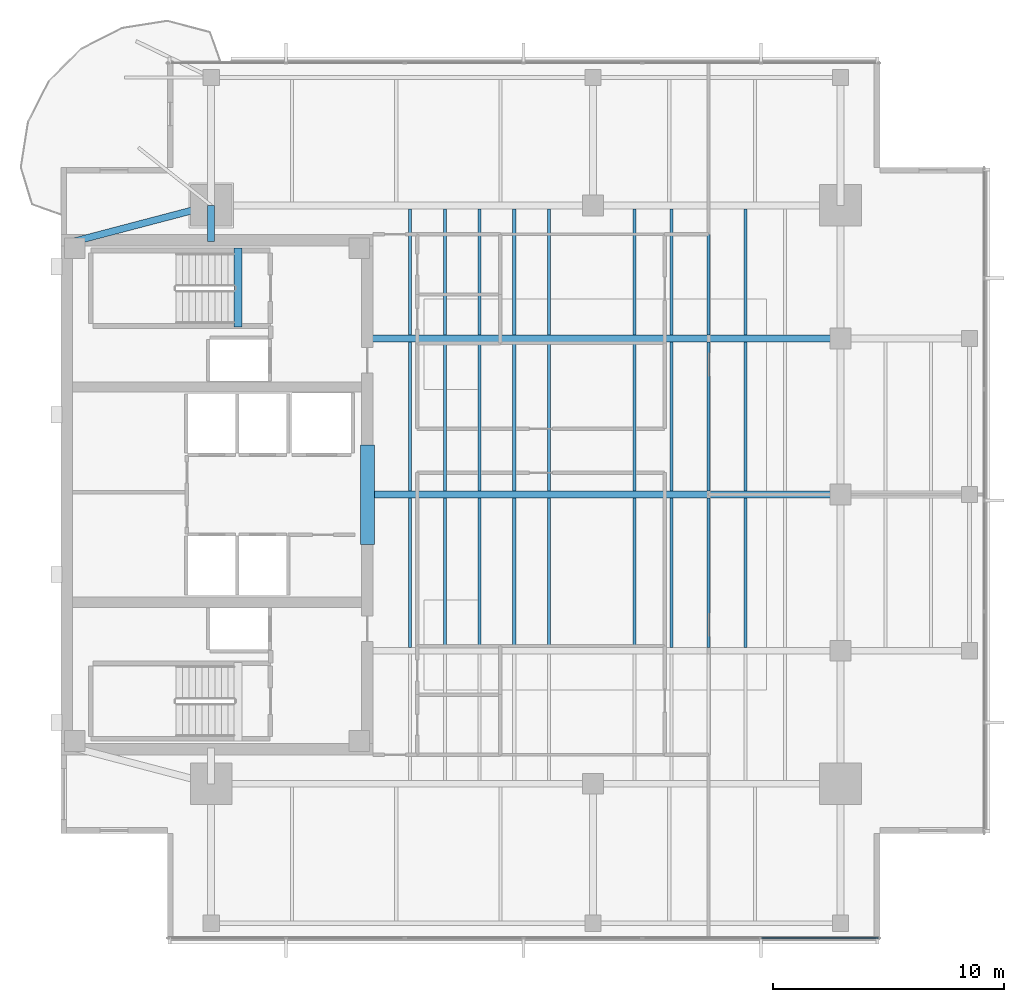
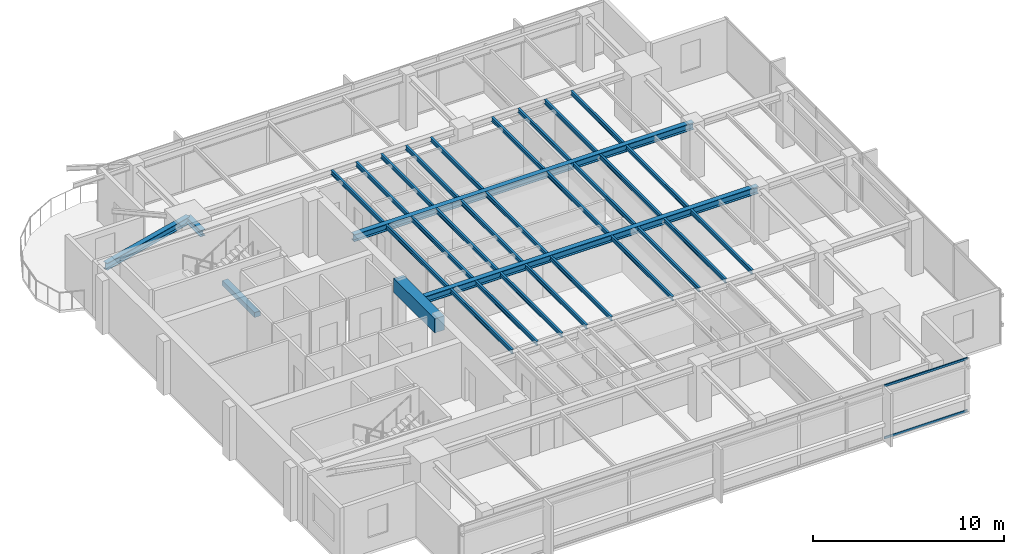
# One storey, part 3 of 14: 33 beams, 2 members, 1 element without a shape of its own.
"""IFC4 building model written with IfcOpenShell, lengths in metres."""

from ifc_helpers import new_model, si_unit, direction, frame, origin, origin_2d, place, context, subcontext, project, spatial, rectangle, i_section, extrude, material, layer, layer_set, material_profile, profile_set, type_object, element, aggregate, save


model = new_model("IFC4")

# Units and contexts
model_context = context("Model", 3, precision=1e-05, world=origin(), true_north=direction((0.0, 1.0)))
body_context = subcontext(model_context, "Body", "Model", "MODEL_VIEW")
ifc_project = project(units=[si_unit("LENGTHUNIT", "METRE"), si_unit("AREAUNIT", "SQUARE_METRE"), si_unit("VOLUMEUNIT", "CUBIC_METRE"), si_unit("PLANEANGLEUNIT", "RADIAN"), si_unit("MASSUNIT", "GRAM", prefix="KILO")], contexts=[model_context])

# Site, building, storey
site_placement = place(None, origin())
site = spatial("IfcSite", under=ifc_project, at=site_placement, CompositionType="ELEMENT")
building_placement = place(site_placement, origin())
building = spatial("IfcBuilding", under=site, at=building_placement, Name="Kinhvarn Gate Tower", CompositionType="ELEMENT")
storey_placement = place(building_placement, frame((0.0, 0.0, 263.449951171875)))
storey = spatial("IfcBuildingStorey", under=building, at=storey_placement, Name="L70", CompositionType="ELEMENT", Elevation=263.449951171875)

# Beams
ifc_material_1 = material(Name="Concrete C60/75", Category="concrete")
ifc_material_profile_1 = material_profile(ifc_material_1, rectangle(XDim=0.60009765625, YDim=0.89990234375, at=origin_2d()), Name="RC 600x900")
ifc_profile_set_1 = profile_set([ifc_material_profile_1], Name="Concrete C60/75")
beam_type_1 = type_object("IfcBeamType", Name="BM-CB-900", PredefinedType="LINTEL", material=ifc_profile_set_1)
beam_1_placement = place(storey_placement, frame((17.75, 23.10009765625, 2.93994140625), z_axis=(0.0, 1.0, 0.0), x_axis=(-1.0, 0.0, 0.0)))
element("IfcBeam", 1, at=beam_1_placement, inside=storey, type_object=beam_type_1, Name="Core East Portal Coupling Beam L70", PredefinedType="LINTEL", context=body_context, shape_type="SweptSolid", body=[
    extrude(rectangle(XDim=0.60009765625, YDim=0.89990234375, at=origin_2d()), origin(), (0.0, 0.0, 1.0), 4.2998046875),
])
ifc_material_2 = material(Name="Concrete C50/60", Category="concrete")
ifc_material_profile_2 = material_profile(ifc_material_2, rectangle(XDim=0.340087890625, YDim=0.320068359375, at=origin_2d()), Name="RC 340x320")
ifc_profile_set_2 = profile_set([ifc_material_profile_2], Name="Concrete C50/60")
beam_type_2 = type_object("IfcBeamType", Name="BM-LND-500", PredefinedType="BEAM", material=ifc_profile_set_2)
beam_2_placement = place(storey_placement, frame((12.1650390625, 32.5, -0.159912109375), z_axis=(0.0, 1.0, 0.0), x_axis=(-1.0, 0.0, 0.0)))
element("IfcBeam", 2, at=beam_2_placement, inside=storey, type_object=beam_type_2, Name="Stair ST2 Landing Nosing Beam (L70)", PredefinedType="BEAM", context=body_context, shape_type="SweptSolid", body=[
    extrude(rectangle(XDim=0.340087890625, YDim=0.320068359375, at=origin_2d()), origin(), (0.0, 0.0, 1.0), 3.39990234375),
])

# Curtain wall, members
ifc_material_3 = material(Name="Anodised aluminium AW-6063", Category="aluminium")
ifc_layer = layer(ifc_material_3, 0.179931640625)
ifc_layer_set = layer_set([ifc_layer], Name="Anodised aluminium AW-6063")
curtain_wall_type = type_object("IfcCurtainWallType", Name="CW-SYS-3", PredefinedType="NOTDEFINED", material=ifc_layer_set)
curtain_wall_placement = place(storey_placement, origin())
curtain_wall = element("IfcCurtainWall", 3, at=curtain_wall_placement, inside=storey, type_object=curtain_wall_type, Name="Curtain Wall CW3 (L70)", PredefinedType="NOTDEFINED")
ifc_material_profile_3 = material_profile(ifc_material_3, rectangle(XDim=0.070068359375, YDim=0.139892578125, at=origin_2d()), Name="ALU 70x140")
ifc_profile_set_3 = profile_set([ifc_material_profile_3], Name="Anodised aluminium AW-6063")
member_type = type_object("IfcMemberType", Name="CW-TRN-140", PredefinedType="USERDEFINED", material=ifc_profile_set_3)
member_1_placement = place(storey_placement, frame((34.799072265625, 6.090087890625, 0.03515625), z_axis=(1.0, 0.0, 0.0), x_axis=(0.0, 1.0, 0.0)))
member_1 = element("IfcMember", 4, at=member_1_placement, type_object=member_type, Name="CW3 transom 6.1", ObjectType="TRANSOM", PredefinedType="USERDEFINED", context=body_context, shape_type="SweptSolid", body=[
    extrude(rectangle(XDim=0.070068359375, YDim=0.139892578125, at=origin_2d()), origin(), (0.0, 0.0, 1.0), 5.035888671875),
])
member_2_placement = place(storey_placement, frame((34.799072265625, 6.090087890625, 3.35498046875), z_axis=(1.0, 0.0, 0.0), x_axis=(0.0, 1.0, 0.0)))
member_2 = element("IfcMember", 5, at=member_2_placement, type_object=member_type, Name="CW3 transom 6.2", ObjectType="TRANSOM", PredefinedType="USERDEFINED", context=body_context, shape_type="SweptSolid", body=[
    extrude(rectangle(XDim=0.070068359375, YDim=0.139892578125, at=origin_2d()), origin(), (0.0, 0.0, 1.0), 5.035888671875),
])
aggregate(curtain_wall, [member_1, member_2])

# Beams
ifc_material_4 = material(Name="Steel S355", Category="steel")
ifc_material_profile_4 = material_profile(ifc_material_4, i_section(OverallWidth=0.300048828125, OverallDepth=0.39990234375, WebThickness=0.013427734375, FlangeThickness=0.02392578125, at=origin_2d()), Name="HEB 400")
ifc_profile_set_4 = profile_set([ifc_material_profile_4], Name="Steel S355")
beam_type_3 = type_object("IfcBeamType", Name="STL-HEB400", PredefinedType="BEAM", material=ifc_profile_set_4)
beam_3_placement = place(storey_placement, frame((11.0, 36.199951171875, 3.18994140625), z_axis=(0.0, 1.0, 0.0), x_axis=(-1.0, 0.0, 0.0)))
element("IfcBeam", 6, at=beam_3_placement, inside=storey, type_object=beam_type_3, Name="Floor Beam PG-12 (L70 MCW-CN)", PredefinedType="BEAM", context=body_context, shape_type="SweptSolid", body=[
    extrude(i_section(OverallWidth=0.300048828125, OverallDepth=0.39990234375, WebThickness=0.013427734375, FlangeThickness=0.02392578125, at=origin_2d()), origin(), (0.0, 0.0, 1.0), 1.550048828125),
])
ifc_material_profile_5 = material_profile(ifc_material_4, i_section(OverallWidth=0.300048828125, OverallDepth=0.449951171875, WebThickness=0.013916015625, FlangeThickness=0.02587890625, at=origin_2d()), Name="HEB 450")
ifc_profile_set_5 = profile_set([ifc_material_profile_5], Name="Steel S355")
beam_type_4 = type_object("IfcBeamType", Name="STL-HEB450", PredefinedType="BEAM", material=ifc_profile_set_5)
beam_4_placement = place(storey_placement, frame((5.10009765625, 36.199951171875, 3.1650390625), z_axis=(0.967177623957, 0.254101246979, 0.0), x_axis=(-0.254101246979, 0.967177623957, 0.0)))
element("IfcBeam", 7, at=beam_4_placement, inside=storey, type_object=beam_type_4, Name="Floor Beam PG-13 (L70 MG-NW-DIAG)", PredefinedType="BEAM", context=body_context, shape_type="SweptSolid", body=[
    extrude(i_section(OverallWidth=0.300048828125, OverallDepth=0.449951171875, WebThickness=0.013916015625, FlangeThickness=0.02587890625, at=origin_2d()), origin(), (0.0, 0.0, 1.0), 6.10009765625),
])
beam_5_placement = place(storey_placement, frame((18.050048828125, 25.25, 3.1650390625), z_axis=(1.0, 0.0, 0.0), x_axis=(0.0, 1.0, 0.0)))
element("IfcBeam", 8, at=beam_5_placement, inside=storey, type_object=beam_type_4, Name="Floor Beam PG-13 (L70 EW1-Y25)", PredefinedType="BEAM", context=body_context, shape_type="SweptSolid", body=[
    extrude(i_section(OverallWidth=0.300048828125, OverallDepth=0.449951171875, WebThickness=0.013916015625, FlangeThickness=0.02587890625, at=origin_2d()), origin(), (0.0, 0.0, 1.0), 20.14990234375),
])
beam_6_placement = place(storey_placement, frame((17.64990234375, 32.0, 3.1650390625), z_axis=(1.0, 0.0, 0.0), x_axis=(0.0, 1.0, 0.0)))
element("IfcBeam", 9, at=beam_6_placement, inside=storey, type_object=beam_type_4, Name="Floor Beam PG-13 (L70 EW1-Y32)", PredefinedType="BEAM", context=body_context, shape_type="SweptSolid", body=[
    extrude(i_section(OverallWidth=0.300048828125, OverallDepth=0.449951171875, WebThickness=0.013916015625, FlangeThickness=0.02587890625, at=origin_2d()), origin(), (0.0, 0.0, 1.0), 20.550048828125),
])
ifc_material_profile_6 = material_profile(ifc_material_4, i_section(OverallWidth=0.135009765625, OverallDepth=0.27001953125, WebThickness=0.006591796875, FlangeThickness=0.01025390625, at=origin_2d()), Name="IPE 270")
ifc_profile_set_6 = profile_set([ifc_material_profile_6], Name="Steel S355")
beam_type_5 = type_object("IfcBeamType", Name="STL-IPE270", PredefinedType="JOIST", material=ifc_profile_set_6)
for number, where, z_axis, x_axis, name in (
    (10, (19.60009765625, 18.64990234375, 3.255126953125), (0.0, 1.0, 0.0), (-1.0, 0.0, 0.0), "Floor Joist SB-01 (L70 JC-X196-1)"),
    (11, (19.60009765625, 25.39990234375, 3.255126953125), (0.0, 1.0, 0.0), (-1.0, 0.0, 0.0), "Floor Joist SB-01 (L70 JC-X196-2)"),
):
    element("IfcBeam", number, at=place(storey_placement, frame(where, z_axis=z_axis, x_axis=x_axis)), inside=storey, type_object=beam_type_5, Name=name, PredefinedType="JOIST", context=body_context, shape_type="SweptSolid", body=[
        extrude(i_section(OverallWidth=0.135009765625, OverallDepth=0.27001953125, WebThickness=0.006591796875, FlangeThickness=0.01025390625, at=origin_2d()), origin(), (0.0, 0.0, 1.0), 6.4501953125),
    ])
beam_7_placement = place(storey_placement, frame((19.60009765625, 32.14990234375, 3.255126953125), z_axis=(0.0, 1.0, 0.0), x_axis=(-1.0, 0.0, 0.0)))
element("IfcBeam", 12, at=beam_7_placement, inside=storey, type_object=beam_type_5, Name="Floor Joist SB-01 (L70 JC-X196-3)", PredefinedType="JOIST", context=body_context, shape_type="SweptSolid", body=[
    extrude(i_section(OverallWidth=0.135009765625, OverallDepth=0.27001953125, WebThickness=0.006591796875, FlangeThickness=0.01025390625, at=origin_2d()), origin(), (0.0, 0.0, 1.0), 5.4501953125),
])
for number, where, z_axis, x_axis, name in (
    (13, (21.10009765625, 18.64990234375, 3.255126953125), (0.0, 1.0, 0.0), (-1.0, 0.0, 0.0), "Floor Joist SB-01 (L70 JC-X211-1)"),
    (14, (21.10009765625, 25.39990234375, 3.255126953125), (0.0, 1.0, 0.0), (-1.0, 0.0, 0.0), "Floor Joist SB-01 (L70 JC-X211-2)"),
):
    element("IfcBeam", number, at=place(storey_placement, frame(where, z_axis=z_axis, x_axis=x_axis)), inside=storey, type_object=beam_type_5, Name=name, PredefinedType="JOIST", context=body_context, shape_type="SweptSolid", body=[
        extrude(i_section(OverallWidth=0.135009765625, OverallDepth=0.27001953125, WebThickness=0.006591796875, FlangeThickness=0.01025390625, at=origin_2d()), origin(), (0.0, 0.0, 1.0), 6.4501953125),
    ])
beam_8_placement = place(storey_placement, frame((21.10009765625, 32.14990234375, 3.255126953125), z_axis=(0.0, 1.0, 0.0), x_axis=(-1.0, 0.0, 0.0)))
element("IfcBeam", 15, at=beam_8_placement, inside=storey, type_object=beam_type_5, Name="Floor Joist SB-01 (L70 JC-X211-3)", PredefinedType="JOIST", context=body_context, shape_type="SweptSolid", body=[
    extrude(i_section(OverallWidth=0.135009765625, OverallDepth=0.27001953125, WebThickness=0.006591796875, FlangeThickness=0.01025390625, at=origin_2d()), origin(), (0.0, 0.0, 1.0), 5.4501953125),
])
for number, where, z_axis, x_axis, name in (
    (16, (22.60009765625, 18.64990234375, 3.255126953125), (0.0, 1.0, 0.0), (-1.0, 0.0, 0.0), "Floor Joist SB-01 (L70 JC-X226-1)"),
    (17, (22.60009765625, 25.39990234375, 3.255126953125), (0.0, 1.0, 0.0), (-1.0, 0.0, 0.0), "Floor Joist SB-01 (L70 JC-X226-2)"),
):
    element("IfcBeam", number, at=place(storey_placement, frame(where, z_axis=z_axis, x_axis=x_axis)), inside=storey, type_object=beam_type_5, Name=name, PredefinedType="JOIST", context=body_context, shape_type="SweptSolid", body=[
        extrude(i_section(OverallWidth=0.135009765625, OverallDepth=0.27001953125, WebThickness=0.006591796875, FlangeThickness=0.01025390625, at=origin_2d()), origin(), (0.0, 0.0, 1.0), 6.4501953125),
    ])
beam_9_placement = place(storey_placement, frame((22.60009765625, 32.14990234375, 3.255126953125), z_axis=(0.0, 1.0, 0.0), x_axis=(-1.0, 0.0, 0.0)))
element("IfcBeam", 18, at=beam_9_placement, inside=storey, type_object=beam_type_5, Name="Floor Joist SB-01 (L70 JC-X226-3)", PredefinedType="JOIST", context=body_context, shape_type="SweptSolid", body=[
    extrude(i_section(OverallWidth=0.135009765625, OverallDepth=0.27001953125, WebThickness=0.006591796875, FlangeThickness=0.01025390625, at=origin_2d()), origin(), (0.0, 0.0, 1.0), 5.4501953125),
])
for number, where, z_axis, x_axis, name in (
    (19, (24.10009765625, 18.64990234375, 3.255126953125), (0.0, 1.0, 0.0), (-1.0, 0.0, 0.0), "Floor Joist SB-01 (L70 JC-X241-1)"),
    (20, (24.10009765625, 25.39990234375, 3.255126953125), (0.0, 1.0, 0.0), (-1.0, 0.0, 0.0), "Floor Joist SB-01 (L70 JC-X241-2)"),
):
    element("IfcBeam", number, at=place(storey_placement, frame(where, z_axis=z_axis, x_axis=x_axis)), inside=storey, type_object=beam_type_5, Name=name, PredefinedType="JOIST", context=body_context, shape_type="SweptSolid", body=[
        extrude(i_section(OverallWidth=0.135009765625, OverallDepth=0.27001953125, WebThickness=0.006591796875, FlangeThickness=0.01025390625, at=origin_2d()), origin(), (0.0, 0.0, 1.0), 6.4501953125),
    ])
beam_10_placement = place(storey_placement, frame((24.10009765625, 32.14990234375, 3.255126953125), z_axis=(0.0, 1.0, 0.0), x_axis=(-1.0, 0.0, 0.0)))
element("IfcBeam", 21, at=beam_10_placement, inside=storey, type_object=beam_type_5, Name="Floor Joist SB-01 (L70 JC-X241-3)", PredefinedType="JOIST", context=body_context, shape_type="SweptSolid", body=[
    extrude(i_section(OverallWidth=0.135009765625, OverallDepth=0.27001953125, WebThickness=0.006591796875, FlangeThickness=0.01025390625, at=origin_2d()), origin(), (0.0, 0.0, 1.0), 5.4501953125),
])
for number, where, z_axis, x_axis, name in (
    (22, (25.60009765625, 18.64990234375, 3.255126953125), (0.0, 1.0, 0.0), (-1.0, 0.0, 0.0), "Floor Joist SB-01 (L70 JC-X256-1)"),
    (23, (25.60009765625, 25.39990234375, 3.255126953125), (0.0, 1.0, 0.0), (-1.0, 0.0, 0.0), "Floor Joist SB-01 (L70 JC-X256-2)"),
):
    element("IfcBeam", number, at=place(storey_placement, frame(where, z_axis=z_axis, x_axis=x_axis)), inside=storey, type_object=beam_type_5, Name=name, PredefinedType="JOIST", context=body_context, shape_type="SweptSolid", body=[
        extrude(i_section(OverallWidth=0.135009765625, OverallDepth=0.27001953125, WebThickness=0.006591796875, FlangeThickness=0.01025390625, at=origin_2d()), origin(), (0.0, 0.0, 1.0), 6.4501953125),
    ])
beam_11_placement = place(storey_placement, frame((25.60009765625, 32.14990234375, 3.255126953125), z_axis=(0.0, 1.0, 0.0), x_axis=(-1.0, 0.0, 0.0)))
element("IfcBeam", 24, at=beam_11_placement, inside=storey, type_object=beam_type_5, Name="Floor Joist SB-01 (L70 JC-X256-3)", PredefinedType="JOIST", context=body_context, shape_type="SweptSolid", body=[
    extrude(i_section(OverallWidth=0.135009765625, OverallDepth=0.27001953125, WebThickness=0.006591796875, FlangeThickness=0.01025390625, at=origin_2d()), origin(), (0.0, 0.0, 1.0), 5.4501953125),
])
for number, where, z_axis, x_axis, name in (
    (25, (29.300048828125, 18.64990234375, 3.255126953125), (0.0, 1.0, 0.0), (-1.0, 0.0, 0.0), "Floor Joist SB-01 (L70 JC-X293-1)"),
    (26, (29.300048828125, 25.39990234375, 3.255126953125), (0.0, 1.0, 0.0), (-1.0, 0.0, 0.0), "Floor Joist SB-01 (L70 JC-X293-2)"),
):
    element("IfcBeam", number, at=place(storey_placement, frame(where, z_axis=z_axis, x_axis=x_axis)), inside=storey, type_object=beam_type_5, Name=name, PredefinedType="JOIST", context=body_context, shape_type="SweptSolid", body=[
        extrude(i_section(OverallWidth=0.135009765625, OverallDepth=0.27001953125, WebThickness=0.006591796875, FlangeThickness=0.01025390625, at=origin_2d()), origin(), (0.0, 0.0, 1.0), 6.4501953125),
    ])
beam_12_placement = place(storey_placement, frame((29.300048828125, 32.14990234375, 3.255126953125), z_axis=(0.0, 1.0, 0.0), x_axis=(-1.0, 0.0, 0.0)))
element("IfcBeam", 27, at=beam_12_placement, inside=storey, type_object=beam_type_5, Name="Floor Joist SB-01 (L70 JC-X293-3)", PredefinedType="JOIST", context=body_context, shape_type="SweptSolid", body=[
    extrude(i_section(OverallWidth=0.135009765625, OverallDepth=0.27001953125, WebThickness=0.006591796875, FlangeThickness=0.01025390625, at=origin_2d()), origin(), (0.0, 0.0, 1.0), 5.4501953125),
])
for number, where, z_axis, x_axis, name in (
    (28, (30.89990234375, 18.64990234375, 3.255126953125), (0.0, 1.0, 0.0), (-1.0, 0.0, 0.0), "Floor Joist SB-01 (L70 JC-X309-1)"),
    (29, (30.89990234375, 25.39990234375, 3.255126953125), (0.0, 1.0, 0.0), (-1.0, 0.0, 0.0), "Floor Joist SB-01 (L70 JC-X309-2)"),
):
    element("IfcBeam", number, at=place(storey_placement, frame(where, z_axis=z_axis, x_axis=x_axis)), inside=storey, type_object=beam_type_5, Name=name, PredefinedType="JOIST", context=body_context, shape_type="SweptSolid", body=[
        extrude(i_section(OverallWidth=0.135009765625, OverallDepth=0.27001953125, WebThickness=0.006591796875, FlangeThickness=0.01025390625, at=origin_2d()), origin(), (0.0, 0.0, 1.0), 6.4501953125),
    ])
beam_13_placement = place(storey_placement, frame((30.89990234375, 32.14990234375, 3.255126953125), z_axis=(0.0, 1.0, 0.0), x_axis=(-1.0, 0.0, 0.0)))
element("IfcBeam", 30, at=beam_13_placement, inside=storey, type_object=beam_type_5, Name="Floor Joist SB-01 (L70 JC-X309-3)", PredefinedType="JOIST", context=body_context, shape_type="SweptSolid", body=[
    extrude(i_section(OverallWidth=0.135009765625, OverallDepth=0.27001953125, WebThickness=0.006591796875, FlangeThickness=0.01025390625, at=origin_2d()), origin(), (0.0, 0.0, 1.0), 5.4501953125),
])
for number, where, z_axis, x_axis, name in (
    (31, (32.5, 18.64990234375, 3.255126953125), (0.0, 1.0, 0.0), (-1.0, 0.0, 0.0), "Floor Joist SB-01 (L70 JC-X325-1)"),
    (32, (32.5, 25.39990234375, 3.255126953125), (0.0, 1.0, 0.0), (-1.0, 0.0, 0.0), "Floor Joist SB-01 (L70 JC-X325-2)"),
):
    element("IfcBeam", number, at=place(storey_placement, frame(where, z_axis=z_axis, x_axis=x_axis)), inside=storey, type_object=beam_type_5, Name=name, PredefinedType="JOIST", context=body_context, shape_type="SweptSolid", body=[
        extrude(i_section(OverallWidth=0.135009765625, OverallDepth=0.27001953125, WebThickness=0.006591796875, FlangeThickness=0.01025390625, at=origin_2d()), origin(), (0.0, 0.0, 1.0), 6.4501953125),
    ])
beam_14_placement = place(storey_placement, frame((32.5, 32.14990234375, 3.255126953125), z_axis=(0.0, 1.0, 0.0), x_axis=(-1.0, 0.0, 0.0)))
element("IfcBeam", 33, at=beam_14_placement, inside=storey, type_object=beam_type_5, Name="Floor Joist SB-01 (L70 JC-X325-3)", PredefinedType="JOIST", context=body_context, shape_type="SweptSolid", body=[
    extrude(i_section(OverallWidth=0.135009765625, OverallDepth=0.27001953125, WebThickness=0.006591796875, FlangeThickness=0.01025390625, at=origin_2d()), origin(), (0.0, 0.0, 1.0), 5.4501953125),
])
for number, where, z_axis, x_axis, name in (
    (34, (34.10009765625, 18.64990234375, 3.255126953125), (0.0, 1.0, 0.0), (-1.0, 0.0, 0.0), "Floor Joist SB-01 (L70 JC-X341-1)"),
    (35, (34.10009765625, 25.39990234375, 3.255126953125), (0.0, 1.0, 0.0), (-1.0, 0.0, 0.0), "Floor Joist SB-01 (L70 JC-X341-2)"),
):
    element("IfcBeam", number, at=place(storey_placement, frame(where, z_axis=z_axis, x_axis=x_axis)), inside=storey, type_object=beam_type_5, Name=name, PredefinedType="JOIST", context=body_context, shape_type="SweptSolid", body=[
        extrude(i_section(OverallWidth=0.135009765625, OverallDepth=0.27001953125, WebThickness=0.006591796875, FlangeThickness=0.01025390625, at=origin_2d()), origin(), (0.0, 0.0, 1.0), 6.4501953125),
    ])
beam_15_placement = place(storey_placement, frame((34.10009765625, 32.14990234375, 3.255126953125), z_axis=(0.0, 1.0, 0.0), x_axis=(-1.0, 0.0, 0.0)))
element("IfcBeam", 36, at=beam_15_placement, inside=storey, type_object=beam_type_5, Name="Floor Joist SB-01 (L70 JC-X341-3)", PredefinedType="JOIST", context=body_context, shape_type="SweptSolid", body=[
    extrude(i_section(OverallWidth=0.135009765625, OverallDepth=0.27001953125, WebThickness=0.006591796875, FlangeThickness=0.01025390625, at=origin_2d()), origin(), (0.0, 0.0, 1.0), 5.4501953125),
])

save(model, "model.ifc")
